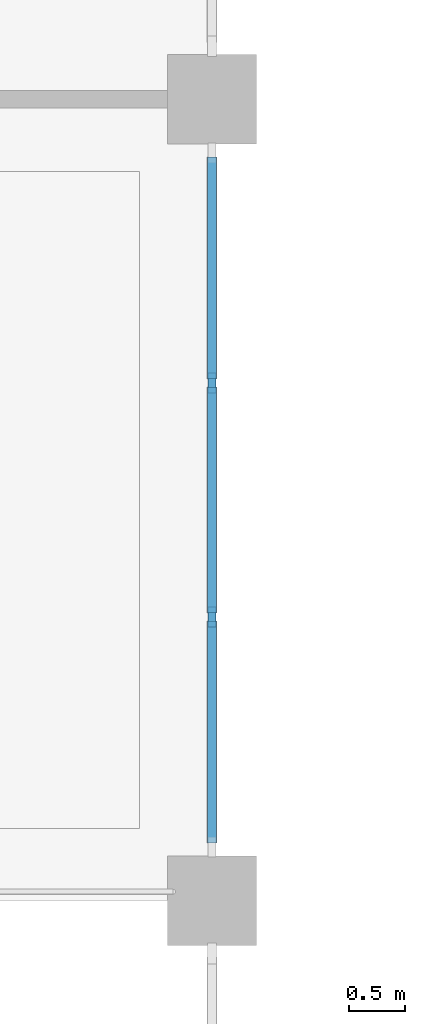
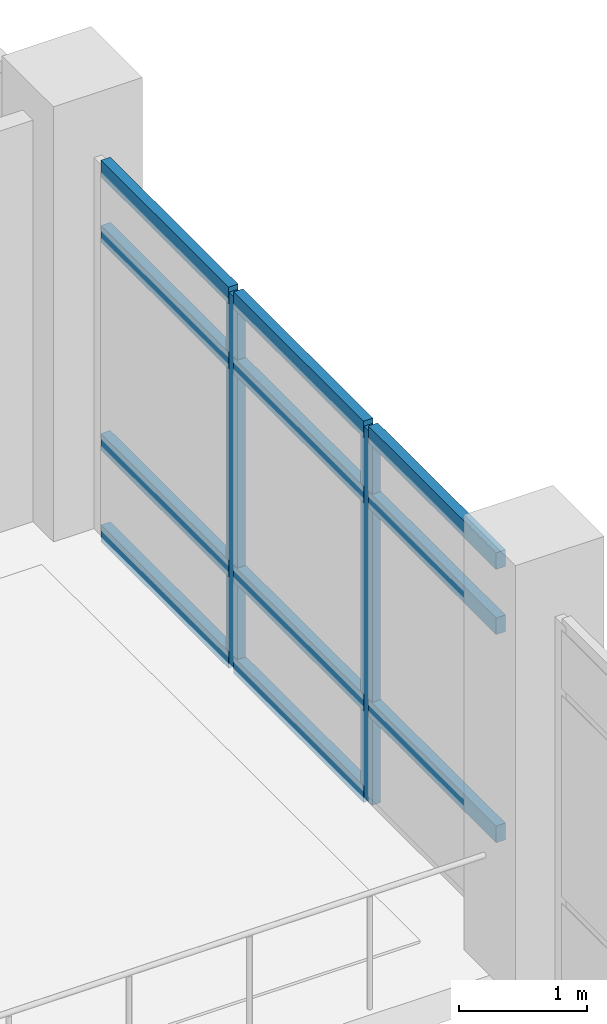
# One storey, part 8 of 62: 13 members, 1 element without a shape of its own.
"""IFC4 building model written with IfcOpenShell, lengths in metres."""

from ifc_helpers import new_model, si_unit, direction, frame, origin, origin_2d, place, context, subcontext, project, spatial, rectangle, extrude, material, layer, layer_set, material_profile, profile_set, type_object, element, aggregate, save


model = new_model("IFC4")

# Units and contexts
model_context = context("Model", 3, precision=1e-05, world=origin(), true_north=direction((0.0, 1.0)))
body_context = subcontext(model_context, "Body", "Model", "MODEL_VIEW")
ifc_project = project(units=[si_unit("LENGTHUNIT", "METRE"), si_unit("AREAUNIT", "SQUARE_METRE"), si_unit("VOLUMEUNIT", "CUBIC_METRE"), si_unit("PLANEANGLEUNIT", "RADIAN"), si_unit("MASSUNIT", "GRAM", prefix="KILO")], contexts=[model_context])

# Site, building, storey
site_placement = place(None, origin())
site = spatial("IfcSite", under=ifc_project, at=site_placement, CompositionType="ELEMENT")
building_placement = place(site_placement, origin())
building = spatial("IfcBuilding", under=site, at=building_placement, Name="Kavelor Marine Aquarium", CompositionType="ELEMENT")
storey_placement = place(building_placement, frame((0.0, 0.0, 13.5)))
storey = spatial("IfcBuildingStorey", under=building, at=storey_placement, Name="L03", CompositionType="ELEMENT", Elevation=13.5)

# Curtain wall, members
ifc_material_1 = material(Name="Thermally Broken Aluminium and Low-E Glass", Category="aluminium")
ifc_layer = layer(ifc_material_1, 0.31591796875)
ifc_layer_set = layer_set([ifc_layer], Name="CW-SYS22")
curtain_wall_type = type_object("IfcCurtainWallType", Name="CW-SYS22", PredefinedType="USERDEFINED", material=ifc_layer_set)
curtain_wall_placement = place(storey_placement, origin())
curtain_wall = element("IfcCurtainWall", 1, at=curtain_wall_placement, inside=storey, type_object=curtain_wall_type, Name="cw:y:L03:05_08", ObjectType="Curtain Wall", PredefinedType="USERDEFINED")
ifc_material_2 = material(Name="Anodised Aluminium Alloy 6063-T6", Category="aluminium")
ifc_material_profile_1 = material_profile(ifc_material_2, rectangle(XDim=0.074951171875, YDim=0.179931640625, at=origin_2d()), Name="CW-MUL 75x180")
ifc_profile_set_1 = profile_set([ifc_material_profile_1], Name="Anodised Aluminium Alloy 6063-T6")
member_type_1 = type_object("IfcMemberType", Name="CWM-1", PredefinedType="MULLION", material=ifc_profile_set_1)
member_1_placement = place(storey_placement, frame((39.199951171875, 62.9482421875, 0.0), z_axis=(0.0, 0.0, 1.0), x_axis=(-1.0, 0.0, 0.0)))
member_1 = element("IfcMember", 2, at=member_1_placement, type_object=member_type_1, Name="CW22 mullion 2", PredefinedType="MULLION", context=body_context, shape_type="SweptSolid", body=[
    extrude(rectangle(XDim=0.074951171875, YDim=0.179931640625, at=origin_2d()), origin(), (0.0, 0.0, 1.0), 3.530029296875),
])
member_2_placement = place(storey_placement, frame((39.199951171875, 65.0517578125, 0.0), z_axis=(0.0, 0.0, 1.0), x_axis=(-1.0, 0.0, 0.0)))
member_2 = element("IfcMember", 3, at=member_2_placement, type_object=member_type_1, Name="CW22 mullion 3", PredefinedType="MULLION", context=body_context, shape_type="SweptSolid", body=[
    extrude(rectangle(XDim=0.074951171875, YDim=0.179931640625, at=origin_2d()), origin(), (0.0, 0.0, 1.0), 3.530029296875),
])
ifc_material_3 = material(Name="Anodised Aluminium Alloy 6063-T6", Category="aluminium")
ifc_material_profile_2 = material_profile(ifc_material_3, rectangle(XDim=0.0849609375, YDim=0.159912109375, at=origin_2d()), Name="CW-TRN 85x160")
ifc_profile_set_2 = profile_set([ifc_material_profile_2], Name="Anodised Aluminium Alloy 6063-T6")
member_type_2 = type_object("IfcMemberType", Name="CWT-3", PredefinedType="USERDEFINED", material=ifc_profile_set_2)
member_3_placement = place(storey_placement, frame((39.199951171875, 60.919921875, 0.89990234375), z_axis=(0.0, 1.0, 0.0), x_axis=(-1.0, 0.0, 0.0)))
member_3 = element("IfcMember", 4, at=member_3_placement, type_object=member_type_2, Name="CW22 transom 1.2", ObjectType="TRANSOM", PredefinedType="USERDEFINED", context=body_context, shape_type="SweptSolid", body=[
    extrude(rectangle(XDim=0.0849609375, YDim=0.159912109375, at=origin_2d()), origin(), (0.0, 0.0, 1.0), 1.990966796875),
])
member_4_placement = place(storey_placement, frame((39.199951171875, 60.919921875, 2.8798828125), z_axis=(0.0, 1.0, 0.0), x_axis=(-1.0, 0.0, 0.0)))
member_4 = element("IfcMember", 5, at=member_4_placement, type_object=member_type_2, Name="CW22 transom 1.3", ObjectType="TRANSOM", PredefinedType="USERDEFINED", context=body_context, shape_type="SweptSolid", body=[
    extrude(rectangle(XDim=0.0849609375, YDim=0.159912109375, at=origin_2d()), origin(), (0.0, 0.0, 1.0), 1.990966796875),
])
member_5_placement = place(storey_placement, frame((39.199951171875, 60.919921875, 3.5), z_axis=(0.0, 1.0, 0.0), x_axis=(-1.0, 0.0, 0.0)))
member_5 = element("IfcMember", 6, at=member_5_placement, type_object=member_type_2, Name="CW22 transom 1.4", ObjectType="TRANSOM", PredefinedType="USERDEFINED", context=body_context, shape_type="SweptSolid", body=[
    extrude(rectangle(XDim=0.0849609375, YDim=0.159912109375, at=origin_2d()), origin(), (0.0, 0.0, 1.0), 1.990966796875),
])
member_6_placement = place(storey_placement, frame((39.199951171875, 62.98583984375, 0.030029296875), z_axis=(0.0, 1.0, 0.0), x_axis=(-1.0, 0.0, 0.0)))
member_6 = element("IfcMember", 7, at=member_6_placement, type_object=member_type_2, Name="CW22 transom 2.1", ObjectType="TRANSOM", PredefinedType="USERDEFINED", context=body_context, shape_type="SweptSolid", body=[
    extrude(rectangle(XDim=0.0849609375, YDim=0.159912109375, at=origin_2d()), origin(), (0.0, 0.0, 1.0), 2.0283203125),
])
member_7_placement = place(storey_placement, frame((39.199951171875, 62.98583984375, 0.89990234375), z_axis=(0.0, 1.0, 0.0), x_axis=(-1.0, 0.0, 0.0)))
member_7 = element("IfcMember", 8, at=member_7_placement, type_object=member_type_2, Name="CW22 transom 2.2", ObjectType="TRANSOM", PredefinedType="USERDEFINED", context=body_context, shape_type="SweptSolid", body=[
    extrude(rectangle(XDim=0.0849609375, YDim=0.159912109375, at=origin_2d()), origin(), (0.0, 0.0, 1.0), 2.0283203125),
])
member_8_placement = place(storey_placement, frame((39.199951171875, 62.98583984375, 2.8798828125), z_axis=(0.0, 1.0, 0.0), x_axis=(-1.0, 0.0, 0.0)))
member_8 = element("IfcMember", 9, at=member_8_placement, type_object=member_type_2, Name="CW22 transom 2.3", ObjectType="TRANSOM", PredefinedType="USERDEFINED", context=body_context, shape_type="SweptSolid", body=[
    extrude(rectangle(XDim=0.0849609375, YDim=0.159912109375, at=origin_2d()), origin(), (0.0, 0.0, 1.0), 2.0283203125),
])
member_9_placement = place(storey_placement, frame((39.199951171875, 62.98583984375, 3.5), z_axis=(0.0, 1.0, 0.0), x_axis=(-1.0, 0.0, 0.0)))
member_9 = element("IfcMember", 10, at=member_9_placement, type_object=member_type_2, Name="CW22 transom 2.4", ObjectType="TRANSOM", PredefinedType="USERDEFINED", context=body_context, shape_type="SweptSolid", body=[
    extrude(rectangle(XDim=0.0849609375, YDim=0.159912109375, at=origin_2d()), origin(), (0.0, 0.0, 1.0), 2.0283203125),
])
member_10_placement = place(storey_placement, frame((39.199951171875, 65.089111328125, 0.030029296875), z_axis=(0.0, 1.0, 0.0), x_axis=(-1.0, 0.0, 0.0)))
member_10 = element("IfcMember", 11, at=member_10_placement, type_object=member_type_2, Name="CW22 transom 3.1", ObjectType="TRANSOM", PredefinedType="USERDEFINED", context=body_context, shape_type="SweptSolid", body=[
    extrude(rectangle(XDim=0.0849609375, YDim=0.159912109375, at=origin_2d()), origin(), (0.0, 0.0, 1.0), 1.990966796875),
])
member_11_placement = place(storey_placement, frame((39.199951171875, 65.089111328125, 0.89990234375), z_axis=(0.0, 1.0, 0.0), x_axis=(-1.0, 0.0, 0.0)))
member_11 = element("IfcMember", 12, at=member_11_placement, type_object=member_type_2, Name="CW22 transom 3.2", ObjectType="TRANSOM", PredefinedType="USERDEFINED", context=body_context, shape_type="SweptSolid", body=[
    extrude(rectangle(XDim=0.0849609375, YDim=0.159912109375, at=origin_2d()), origin(), (0.0, 0.0, 1.0), 1.990966796875),
])
member_12_placement = place(storey_placement, frame((39.199951171875, 65.089111328125, 2.8798828125), z_axis=(0.0, 1.0, 0.0), x_axis=(-1.0, 0.0, 0.0)))
member_12 = element("IfcMember", 13, at=member_12_placement, type_object=member_type_2, Name="CW22 transom 3.3", ObjectType="TRANSOM", PredefinedType="USERDEFINED", context=body_context, shape_type="SweptSolid", body=[
    extrude(rectangle(XDim=0.0849609375, YDim=0.159912109375, at=origin_2d()), origin(), (0.0, 0.0, 1.0), 1.990966796875),
])
member_13_placement = place(storey_placement, frame((39.199951171875, 65.089111328125, 3.5), z_axis=(0.0, 1.0, 0.0), x_axis=(-1.0, 0.0, 0.0)))
member_13 = element("IfcMember", 14, at=member_13_placement, type_object=member_type_2, Name="CW22 transom 3.4", ObjectType="TRANSOM", PredefinedType="USERDEFINED", context=body_context, shape_type="SweptSolid", body=[
    extrude(rectangle(XDim=0.0849609375, YDim=0.159912109375, at=origin_2d()), origin(), (0.0, 0.0, 1.0), 1.990966796875),
])
aggregate(curtain_wall, [member_1, member_2, member_3, member_4, member_5, member_6, member_7, member_8, member_9, member_10, member_11, member_12, member_13])

save(model, "model.ifc")
